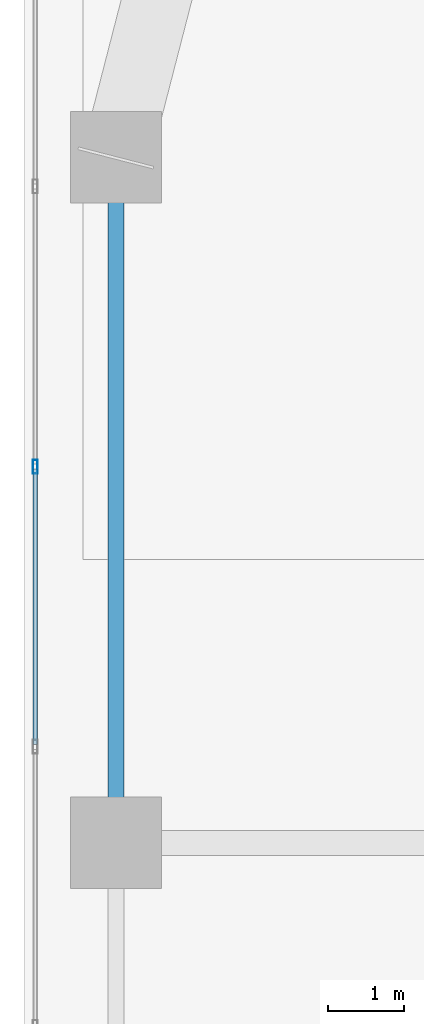
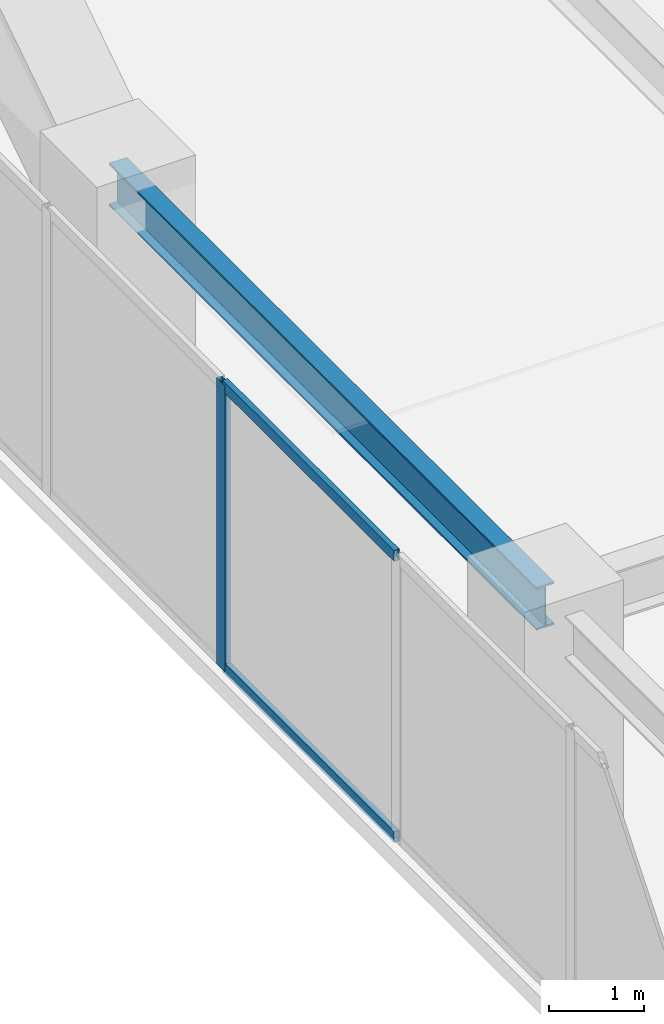
# One storey, part 7 of 30: 3 members, 1 beam, 1 element without a shape of its own.
"""IFC4 building model written with IfcOpenShell, lengths in metres."""

from ifc_helpers import new_model, si_unit, direction, frame, origin, origin_2d, place, context, subcontext, project, spatial, hollow_rectangle, i_section, extrude, material, layer, layer_set, material_profile, profile_set, type_object, element, aggregate, save


model = new_model("IFC4")

# Units and contexts
model_context = context("Model", 3, precision=1e-05, world=origin(), true_north=direction((0.0, 1.0)))
body_context = subcontext(model_context, "Body", "Model", "MODEL_VIEW")
ifc_project = project(units=[si_unit("LENGTHUNIT", "METRE"), si_unit("AREAUNIT", "SQUARE_METRE"), si_unit("VOLUMEUNIT", "CUBIC_METRE"), si_unit("PLANEANGLEUNIT", "RADIAN"), si_unit("MASSUNIT", "GRAM", prefix="KILO")], contexts=[model_context])

# Site, building, storey
site_placement = place(None, origin())
site = spatial("IfcSite", under=ifc_project, at=site_placement, CompositionType="ELEMENT")
building_placement = place(site_placement, origin())
building = spatial("IfcBuilding", under=site, at=building_placement, Name="Kiyonajd Concourse Tower", CompositionType="ELEMENT")
storey_placement = place(building_placement, frame((0.0, 0.0, 198.0)))
storey = spatial("IfcBuildingStorey", under=building, at=storey_placement, Name="L50", CompositionType="ELEMENT", Elevation=198.0)

# Beam
ifc_material_1 = material(Name="Steel ASTM A992 Grade 50", Category="steel")
ifc_material_profile_1 = material_profile(ifc_material_1, i_section(OverallWidth=0.214111328125, OverallDepth=0.549072265625, WebThickness=0.0146484375, FlangeThickness=0.023681640625, at=origin_2d()), Name="W530X138")
ifc_profile_set_1 = profile_set([ifc_material_profile_1], Name="Steel ASTM A992 Grade 50")
beam_type = type_object("IfcBeamType", Name="BM-SPAN-530A", PredefinedType="SPANDREL", material=ifc_profile_set_1)
beam_placement = place(storey_placement, frame((19.199951171875, 53.39990234375, 3.405517578125), z_axis=(0.0, -1.0, 0.0), x_axis=(1.0, 0.0, 0.0)))
element("IfcBeam", 1, at=beam_placement, inside=storey, type_object=beam_type, Name="L50 Perimeter Bundled Tube Spandrel", PredefinedType="SPANDREL", context=body_context, shape_type="SweptSolid", body=[
    extrude(i_section(OverallWidth=0.214111328125, OverallDepth=0.549072265625, WebThickness=0.0146484375, FlangeThickness=0.023681640625, at=origin_2d()), origin(), (0.0, 0.0, 1.0), 9.0),
])

# Curtain wall, members
ifc_material_2 = material(Name="Thermally Broken Anodised Aluminium", Category="aluminium")
ifc_layer = layer(ifc_material_2, 0.179931640625)
ifc_layer_set = layer_set([ifc_layer], Name="Thermally Broken Anodised Aluminium")
curtain_wall_type = type_object("IfcCurtainWallType", Name="CW-SYS-03", PredefinedType="NOTDEFINED", material=ifc_layer_set)
curtain_wall_placement = place(storey_placement, origin())
curtain_wall = element("IfcCurtainWall", 2, at=curtain_wall_placement, inside=storey, type_object=curtain_wall_type, Name="L50 Unitised Curtain Wall CW3", PredefinedType="NOTDEFINED")
ifc_material_profile_2 = material_profile(ifc_material_2, hollow_rectangle(XDim=0.06494140625, YDim=0.179931640625, WallThickness=0.00390625, at=origin_2d()), Name="MULL-65x180")
ifc_profile_set_2 = profile_set([ifc_material_profile_2], Name="Thermally Broken Anodised Aluminium")
member_type_1 = type_object("IfcMemberType", Name="MB-CW-MULL1", PredefinedType="MULLION", material=ifc_profile_set_2)
member_1_placement = place(storey_placement, frame((18.139892578125, 49.337646484375, 0.0), z_axis=(0.0, 0.0, 1.0), x_axis=(-1.0, 0.0, 0.0)))
member_1 = element("IfcMember", 3, at=member_1_placement, type_object=member_type_1, Name="CW3 mullion 5", PredefinedType="MULLION", context=body_context, shape_type="SweptSolid", body=[
    extrude(hollow_rectangle(XDim=0.06494140625, YDim=0.179931640625, WallThickness=0.00390625, at=origin_2d()), origin(), (0.0, 0.0, 1.0), 3.679931640625),
])
ifc_material_profile_3 = material_profile(ifc_material_2, hollow_rectangle(XDim=0.06494140625, YDim=0.139892578125, WallThickness=0.00390625, at=origin_2d()), Name="TRAN-65x140")
ifc_profile_set_3 = profile_set([ifc_material_profile_3], Name="Thermally Broken Anodised Aluminium")
member_type_2 = type_object("IfcMemberType", Name="MB-CW-TRAN1", PredefinedType="USERDEFINED", material=ifc_profile_set_3)
member_2_placement = place(storey_placement, frame((18.139892578125, 45.693359375, 0.032470703125), z_axis=(0.0, 1.0, 0.0), x_axis=(-1.0, 0.0, 0.0)))
member_2 = element("IfcMember", 4, at=member_2_placement, type_object=member_type_2, Name="CW3 transom 4.1", ObjectType="TRANSOM", PredefinedType="USERDEFINED", context=body_context, shape_type="SweptSolid", body=[
    extrude(hollow_rectangle(XDim=0.06494140625, YDim=0.139892578125, WallThickness=0.00390625, at=origin_2d()), origin(), (0.0, 0.0, 1.0), 3.61181640625),
])
member_3_placement = place(storey_placement, frame((18.139892578125, 45.693359375, 3.6474609375), z_axis=(0.0, 1.0, 0.0), x_axis=(-1.0, 0.0, 0.0)))
member_3 = element("IfcMember", 5, at=member_3_placement, type_object=member_type_2, Name="CW3 transom 4.2", ObjectType="TRANSOM", PredefinedType="USERDEFINED", context=body_context, shape_type="SweptSolid", body=[
    extrude(hollow_rectangle(XDim=0.06494140625, YDim=0.139892578125, WallThickness=0.00390625, at=origin_2d()), origin(), (0.0, 0.0, 1.0), 3.61181640625),
])
aggregate(curtain_wall, [member_1, member_2, member_3])

save(model, "model.ifc")
